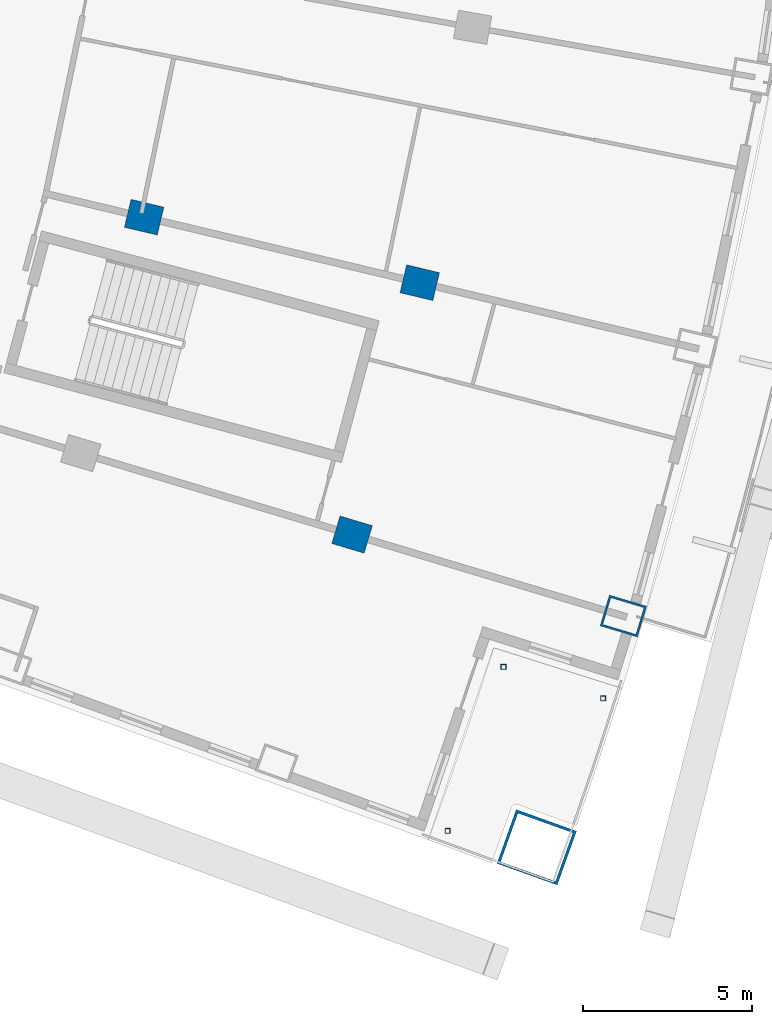
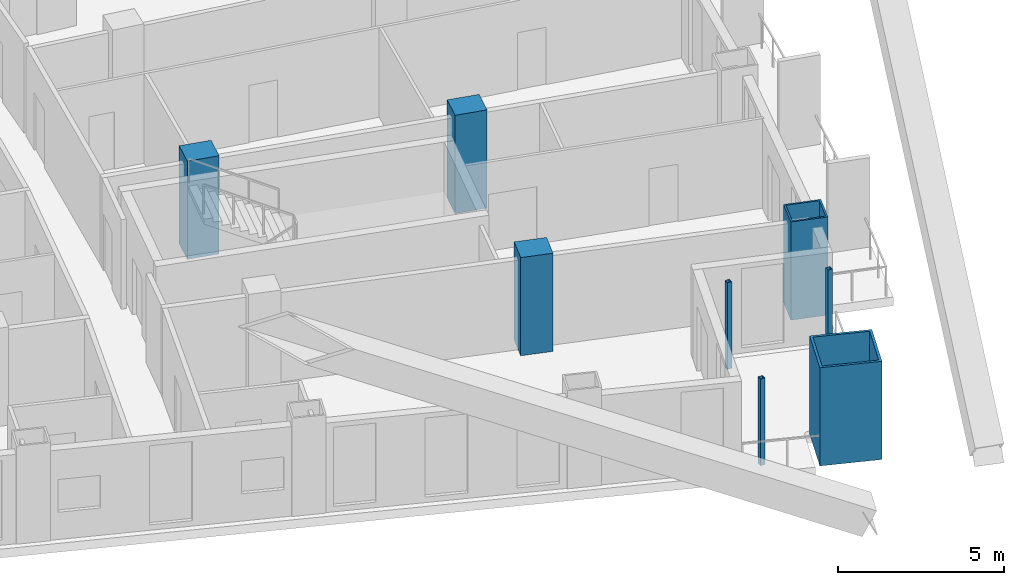
# One storey, part 4 of 24: 8 columns.
"""IFC4 building model written with IfcOpenShell, lengths in metres."""

from ifc_helpers import new_model, si_unit, direction, frame, origin, origin_2d, place, context, subcontext, project, spatial, rectangle, hollow_rectangle, extrude, material, material_profile, profile_set, type_object, element, save


model = new_model("IFC4")

# Units and contexts
model_context = context("Model", 3, precision=1e-05, world=origin(), true_north=direction((0.0, 1.0)))
body_context = subcontext(model_context, "Body", "Model", "MODEL_VIEW")
ifc_project = project(units=[si_unit("LENGTHUNIT", "METRE"), si_unit("AREAUNIT", "SQUARE_METRE"), si_unit("VOLUMEUNIT", "CUBIC_METRE"), si_unit("PLANEANGLEUNIT", "RADIAN"), si_unit("MASSUNIT", "GRAM", prefix="KILO")], contexts=[model_context])

# Site, building, storey
site_placement = place(None, origin())
site = spatial("IfcSite", under=ifc_project, at=site_placement, CompositionType="ELEMENT")
building_placement = place(site_placement, origin())
building = spatial("IfcBuilding", under=site, at=building_placement, Name="Alderwake Tower", CompositionType="ELEMENT")
storey_placement = place(building_placement, frame((0.0, 0.0, 104.0)))
storey = spatial("IfcBuildingStorey", under=building, at=storey_placement, Name="L25", CompositionType="ELEMENT", Elevation=104.0)

# Columns
ifc_material_1 = material(Name="Concrete C70/85", Category="concrete")
ifc_material_profile_1 = material_profile(ifc_material_1, rectangle(XDim=0.85009765625, YDim=1.0, at=origin_2d()), Name="RC 1000X850")
ifc_profile_set_1 = profile_set([ifc_material_profile_1], Name="Concrete C70/85")
column_type_1 = type_object("IfcColumnType", Name="Interior column Z2", PredefinedType="COLUMN", material=ifc_profile_set_1)
for number, where, z_axis, x_axis, name in (
    (1, (46.999755859375, 22.87109375, 0.0), (0.0, 0.0, 1.0), (0.287549418125, 0.957765802342, 0.0), "Column R02-C4"),
    (2, (40.834228515625, 32.2822265625, 0.0), (0.0, 0.0, 1.0), (0.231221547198, 0.972901123502, 0.0), "Column R03-C3"),
    (3, (49.006591796875, 30.340087890625, 0.0), (0.0, 0.0, 1.0), (0.231221547198, 0.972901123502, 0.0), "Column R03-C4"),
):
    element("IfcColumn", number, at=place(storey_placement, frame(where, z_axis=z_axis, x_axis=x_axis)), inside=storey, type_object=column_type_1, Name=name, PredefinedType="COLUMN", context=body_context, shape_type="SweptSolid", body=[
        extrude(rectangle(XDim=0.85009765625, YDim=1.0, at=origin_2d()), origin(), (0.0, 0.0, 1.0), 3.60009765625),
    ])
ifc_material_2 = material(Name="Steel ASTM A500 Grade C", Category="steel")
ifc_material_profile_2 = material_profile(ifc_material_2, hollow_rectangle(XDim=0.15234375, YDim=0.15234375, WallThickness=0.0087890625, at=origin_2d()), Name="HSS6X6X3/8")
ifc_profile_set_2 = profile_set([ifc_material_profile_2], Name="Steel ASTM A500 Grade C")
column_type_2 = type_object("IfcColumnType", Name="Light post HSS6X6X3/8", PredefinedType="COLUMN", material=ifc_profile_set_2)
for number, where, z_axis, x_axis, name in (
    (4, (54.446044921875, 18.0166015625, 0.0), (0.0, 0.0, 1.0), (1.0, 0.0, 0.0), "Terrace post FS1"),
    (5, (49.833984375, 14.0859375, 0.0), (0.0, 0.0, 1.0), (1.0, 0.0, 0.0), "Terrace post FS2"),
    (6, (51.490234375, 18.951171875, 0.0), (0.0, 0.0, 1.0), (1.0, 0.0, 0.0), "Terrace post FS3"),
):
    element("IfcColumn", number, at=place(storey_placement, frame(where, z_axis=z_axis, x_axis=x_axis)), inside=storey, type_object=column_type_2, Name=name, PredefinedType="COLUMN", context=body_context, shape_type="SweptSolid", body=[
        extrude(hollow_rectangle(XDim=0.15234375, YDim=0.15234375, WallThickness=0.0087890625, at=origin_2d()), origin(), (0.0, 0.0, 1.0), 3.179931640625),
    ])
ifc_material_3 = material(Name="Steel ASTM A572 Grade 50 concrete filled C70/85", Category="concrete")
ifc_material_profile_3 = material_profile(ifc_material_3, hollow_rectangle(XDim=1.699951171875, YDim=1.89990234375, WallThickness=0.0849609375, at=origin_2d()), Name="BOX 1900X1700X85")
ifc_profile_set_3 = profile_set([ifc_material_profile_3], Name="Steel ASTM A572 Grade 50 concrete filled C70/85")
column_type_3 = type_object("IfcColumnType", Name="Mega column Z2", PredefinedType="COLUMN", material=ifc_profile_set_3)
column_1_placement = place(storey_placement, frame((52.47509765625, 13.598876953125, 0.0), z_axis=(0.0, 0.0, 1.0), x_axis=(0.336894783301, 0.941542301219, 0.0)))
element("IfcColumn", 7, at=column_1_placement, inside=storey, type_object=column_type_3, Name="Column R01-C5", PredefinedType="COLUMN", context=body_context, shape_type="SweptSolid", body=[
    extrude(hollow_rectangle(XDim=1.699951171875, YDim=1.89990234375, WallThickness=0.0849609375, at=origin_2d()), origin(), (0.0, 0.0, 1.0), 3.60009765625),
])
ifc_material_4 = material(Name="Steel ASTM A572 Grade 50 concrete filled C70/85", Category="concrete")
ifc_material_profile_4 = material_profile(ifc_material_4, hollow_rectangle(XDim=0.949951171875, YDim=1.14990234375, WallThickness=0.06005859375, at=origin_2d()), Name="BOX 1150X950X60")
ifc_profile_set_4 = profile_set([ifc_material_profile_4], Name="Steel ASTM A572 Grade 50 concrete filled C70/85")
column_type_4 = type_object("IfcColumnType", Name="Perimeter column Z2", PredefinedType="COLUMN", material=ifc_profile_set_4)
column_2_placement = place(storey_placement, frame((55.044921875, 20.45556640625, 0.0), z_axis=(0.0, 0.0, 1.0), x_axis=(0.287549418125, 0.957765802342, 0.0)))
element("IfcColumn", 8, at=column_2_placement, inside=storey, type_object=column_type_4, Name="Column R02-C5", PredefinedType="COLUMN", context=body_context, shape_type="SweptSolid", body=[
    extrude(hollow_rectangle(XDim=0.949951171875, YDim=1.14990234375, WallThickness=0.06005859375, at=origin_2d()), origin(), (0.0, 0.0, 1.0), 3.60009765625),
])

save(model, "model.ifc")
